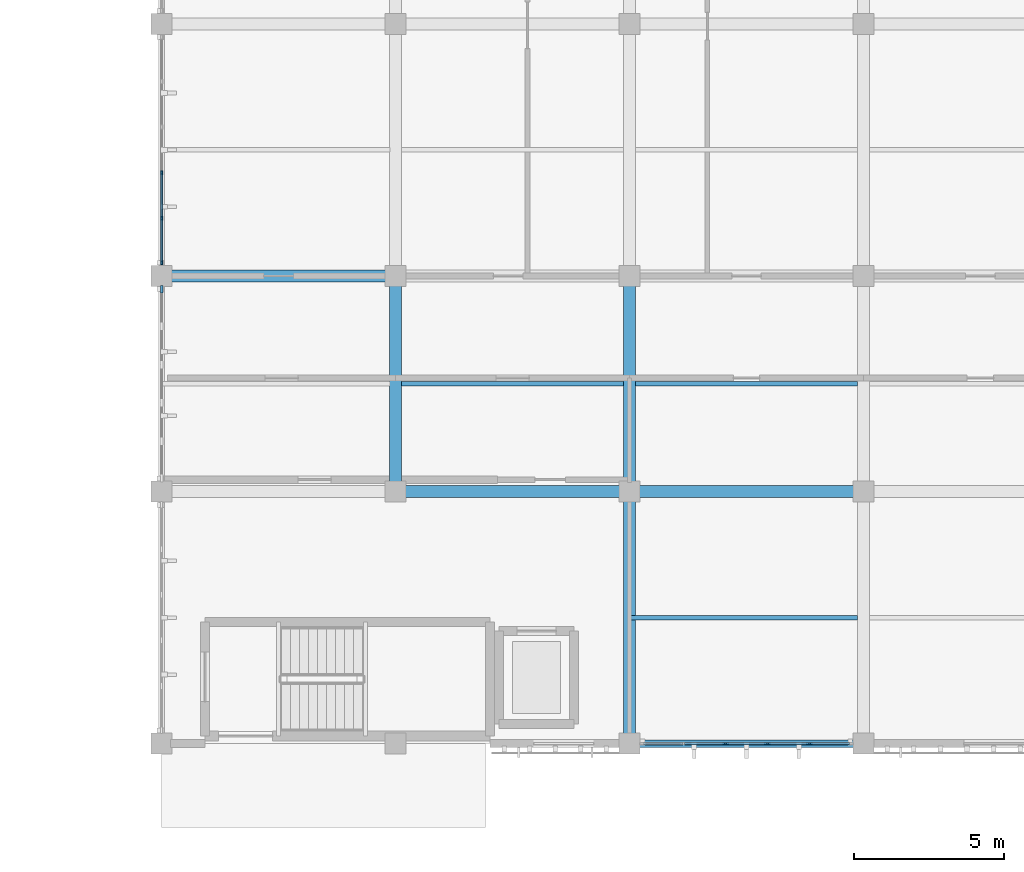
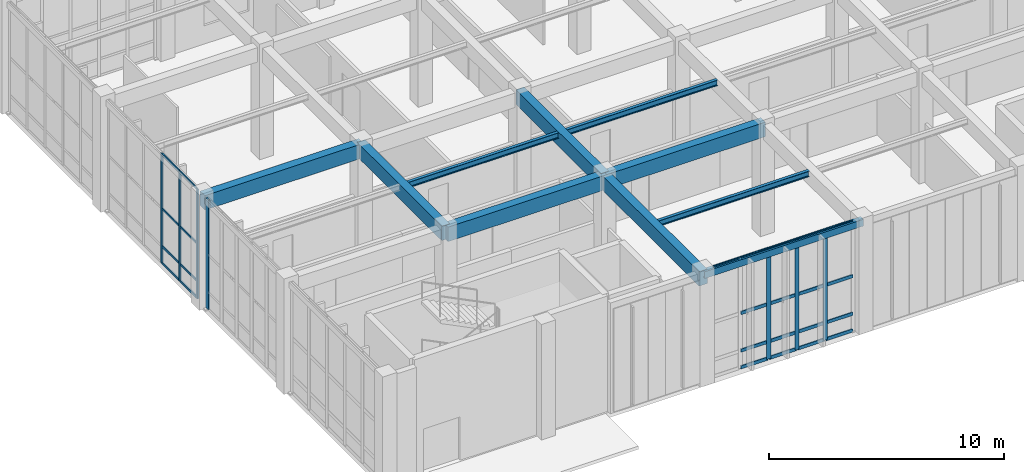
# One storey, part 15 of 110: 32 members, 10 beams, 3 elements without a shape of their own.
"""IFC4 building model written with IfcOpenShell, lengths in metres."""

from ifc_helpers import new_model, si_unit, direction, frame, origin, origin_2d, place, context, subcontext, project, spatial, rectangle, hollow_rectangle, i_section, extrude, material, material_profile, profile_set, type_object, element, aggregate, save


model = new_model("IFC4")

# Units and contexts
model_context = context("Model", 3, precision=1e-05, world=origin(), true_north=direction((0.0, 1.0)))
body_context = subcontext(model_context, "Body", "Model", "MODEL_VIEW")
ifc_project = project(units=[si_unit("LENGTHUNIT", "METRE"), si_unit("AREAUNIT", "SQUARE_METRE"), si_unit("VOLUMEUNIT", "CUBIC_METRE"), si_unit("PLANEANGLEUNIT", "RADIAN"), si_unit("MASSUNIT", "GRAM", prefix="KILO")], contexts=[model_context])

# Site, building, storey
site_placement = place(None, origin())
site = spatial("IfcSite", under=ifc_project, at=site_placement, CompositionType="ELEMENT")
building_placement = place(site_placement, origin())
building = spatial("IfcBuilding", under=site, at=building_placement, Name="Tizgana Railside Sports Hall", CompositionType="ELEMENT")
storey_placement = place(building_placement, origin())
storey = spatial("IfcBuildingStorey", under=building, at=storey_placement, Name="L00", CompositionType="ELEMENT", Elevation=0.0)

# Beams
ifc_material_1 = material(Name="Concrete C35/45", Category="concrete")
ifc_material_profile_1 = material_profile(ifc_material_1, rectangle(XDim=0.39990234375, YDim=0.75, at=origin_2d()), Name="RCB 400x750")
ifc_profile_set_1 = profile_set([ifc_material_profile_1], Name="Concrete C35/45")
beam_type_1 = type_object("IfcBeamType", Name="Concrete Beam RCB 400x750", PredefinedType="BEAM", material=ifc_profile_set_1)
beam_1_placement = place(storey_placement, frame((15.60009765625, 8.39990234375, 5.37109375), z_axis=(0.0, 1.0, 0.0), x_axis=(-1.0, 0.0, 0.0)))
element("IfcBeam", 1, at=beam_1_placement, inside=storey, type_object=beam_type_1, Name="L00 BEM-0337", PredefinedType="BEAM", context=body_context, shape_type="SweptSolid", body=[
    extrude(rectangle(XDim=0.39990234375, YDim=0.75, at=origin_2d()), origin(), (0.0, 0.0, 1.0), 7.2001953125),
])
beam_2_placement = place(storey_placement, frame((23.39990234375, 0.0, 5.37109375), z_axis=(0.0, 1.0, 0.0), x_axis=(-1.0, 0.0, 0.0)))
element("IfcBeam", 2, at=beam_2_placement, inside=storey, type_object=beam_type_1, Name="L00 BEM-0340", PredefinedType="BEAM", context=body_context, shape_type="SweptSolid", body=[
    extrude(rectangle(XDim=0.39990234375, YDim=0.75, at=origin_2d()), origin(), (0.0, 0.0, 1.0), 8.39990234375),
])
beam_3_placement = place(storey_placement, frame((23.39990234375, 8.39990234375, 5.37109375), z_axis=(0.0, 1.0, 0.0), x_axis=(-1.0, 0.0, 0.0)))
element("IfcBeam", 3, at=beam_3_placement, inside=storey, type_object=beam_type_1, Name="L00 BEM-0341", PredefinedType="BEAM", context=body_context, shape_type="SweptSolid", body=[
    extrude(rectangle(XDim=0.39990234375, YDim=0.75, at=origin_2d()), origin(), (0.0, 0.0, 1.0), 7.2001953125),
])
beam_4_placement = place(storey_placement, frame((7.800048828125, 15.60009765625, 5.37109375), z_axis=(1.0, 0.0, 0.0), x_axis=(0.0, 1.0, 0.0)))
element("IfcBeam", 4, at=beam_4_placement, inside=storey, type_object=beam_type_1, Name="L00 BEM-0379", PredefinedType="BEAM", context=body_context, shape_type="SweptSolid", body=[
    extrude(rectangle(XDim=0.39990234375, YDim=0.75, at=origin_2d()), origin(), (0.0, 0.0, 1.0), 7.800048828125),
])
beam_5_placement = place(storey_placement, frame((15.60009765625, 8.39990234375, 5.37109375), z_axis=(1.0, 0.0, 0.0), x_axis=(0.0, 1.0, 0.0)))
element("IfcBeam", 5, at=beam_5_placement, inside=storey, type_object=beam_type_1, Name="L00 BEM-0385", PredefinedType="BEAM", context=body_context, shape_type="SweptSolid", body=[
    extrude(rectangle(XDim=0.39990234375, YDim=0.75, at=origin_2d()), origin(), (0.0, 0.0, 1.0), 7.7998046875),
])
beam_6_placement = place(storey_placement, frame((23.39990234375, 8.39990234375, 5.37109375), z_axis=(1.0, 0.0, 0.0), x_axis=(0.0, 1.0, 0.0)))
element("IfcBeam", 6, at=beam_6_placement, inside=storey, type_object=beam_type_1, Name="L00 BEM-0393", PredefinedType="BEAM", context=body_context, shape_type="SweptSolid", body=[
    extrude(rectangle(XDim=0.39990234375, YDim=0.75, at=origin_2d()), origin(), (0.0, 0.0, 1.0), 7.800048828125),
])

# Curtain wall, members
ifc_material_2 = material(Name="Anodised aluminium and glass", Category="aluminium")
curtain_wall_type_1 = type_object("IfcCurtainWallType", Name="Unitised Curtain Wall Clinic 1200", PredefinedType="NOTDEFINED", material=ifc_material_2)
curtain_wall_1_placement = place(storey_placement, origin())
curtain_wall_1 = element("IfcCurtainWall", 7, at=curtain_wall_1_placement, inside=storey, type_object=curtain_wall_type_1, Name="L00 Curtain Wall CW-0084", PredefinedType="NOTDEFINED")
ifc_material_3 = material(Name="Anodised aluminium", Category="aluminium")
ifc_material_profile_2 = material_profile(ifc_material_3, rectangle(XDim=0.06005859375, YDim=0.139892578125, at=origin_2d()), Name="Mullion 60x140")
ifc_profile_set_2 = profile_set([ifc_material_profile_2], Name="Anodised aluminium")
member_type_1 = type_object("IfcMemberType", Name="Mullion 60x140", PredefinedType="MULLION", material=ifc_profile_set_2)
member_1_placement = place(storey_placement, frame((7.800048828125, 19.041015625, 0.044921875), z_axis=(0.0, 0.0, 1.0), x_axis=(1.0, 0.0, 0.0)))
member_1 = element("IfcMember", 8, at=member_1_placement, type_object=member_type_1, Name="CW-05 mullion 4", PredefinedType="MULLION", context=body_context, shape_type="SweptSolid", body=[
    extrude(rectangle(XDim=0.06005859375, YDim=0.139892578125, at=origin_2d()), origin(), (0.0, 0.0, 1.0), 5.705078125),
])
member_2_placement = place(storey_placement, frame((7.800048828125, 17.52294921875, 0.044921875), z_axis=(0.0, 0.0, 1.0), x_axis=(1.0, 0.0, 0.0)))
member_2 = element("IfcMember", 9, at=member_2_placement, type_object=member_type_1, Name="CW-05 mullion 5", PredefinedType="MULLION", context=body_context, shape_type="SweptSolid", body=[
    extrude(rectangle(XDim=0.06005859375, YDim=0.139892578125, at=origin_2d()), origin(), (0.0, 0.0, 1.0), 5.705078125),
])
member_3_placement = place(storey_placement, frame((7.800048828125, 16.034912109375, 0.044921875), z_axis=(0.0, 0.0, 1.0), x_axis=(1.0, 0.0, 0.0)))
member_3 = element("IfcMember", 10, at=member_3_placement, type_object=member_type_1, Name="CW-05 mullion 6", PredefinedType="MULLION", context=body_context, shape_type="SweptSolid", body=[
    extrude(rectangle(XDim=0.06005859375, YDim=0.139892578125, at=origin_2d()), origin(), (0.0, 0.0, 1.0), 5.705078125),
])

curtain_wall_type_2 = type_object("IfcCurtainWallType", Name="Unitised Curtain Wall Climbing 1600", PredefinedType="NOTDEFINED", material=ifc_material_2)
curtain_wall_2_placement = place(storey_placement, origin())
curtain_wall_2 = element("IfcCurtainWall", 11, at=curtain_wall_2_placement, inside=storey, type_object=curtain_wall_type_2, Name="L00 Curtain Wall CW-0075", PredefinedType="NOTDEFINED")
ifc_material_profile_3 = material_profile(ifc_material_3, rectangle(XDim=0.06494140625, YDim=0.199951171875, at=origin_2d()), Name="Mullion 65x200")
ifc_profile_set_3 = profile_set([ifc_material_profile_3], Name="Anodised aluminium")
member_type_2 = type_object("IfcMemberType", Name="Mullion 65x200", PredefinedType="MULLION", material=ifc_profile_set_3)
member_4_placement = place(storey_placement, frame((29.39697265625, 0.0, 0.044921875), z_axis=(0.0, 0.0, 1.0), x_axis=(0.0, -1.0, 0.0)))
member_4 = element("IfcMember", 12, at=member_4_placement, type_object=member_type_2, Name="CW-04 mullion 2", PredefinedType="MULLION", context=body_context, shape_type="SweptSolid", body=[
    extrude(rectangle(XDim=0.06494140625, YDim=0.199951171875, at=origin_2d()), origin(), (0.0, 0.0, 1.0), 5.705078125),
])
member_5_placement = place(storey_placement, frame((27.9990234375, 0.0, 0.044921875), z_axis=(0.0, 0.0, 1.0), x_axis=(0.0, -1.0, 0.0)))
member_5 = element("IfcMember", 13, at=member_5_placement, type_object=member_type_2, Name="CW-04 mullion 3", PredefinedType="MULLION", context=body_context, shape_type="SweptSolid", body=[
    extrude(rectangle(XDim=0.06494140625, YDim=0.199951171875, at=origin_2d()), origin(), (0.0, 0.0, 1.0), 5.705078125),
])
member_6_placement = place(storey_placement, frame((26.60107421875, 0.0, 0.044921875), z_axis=(0.0, 0.0, 1.0), x_axis=(0.0, -1.0, 0.0)))
member_6 = element("IfcMember", 14, at=member_6_placement, type_object=member_type_2, Name="CW-04 mullion 4", PredefinedType="MULLION", context=body_context, shape_type="SweptSolid", body=[
    extrude(rectangle(XDim=0.06494140625, YDim=0.199951171875, at=origin_2d()), origin(), (0.0, 0.0, 1.0), 5.705078125),
])

# Curtain wall, member
curtain_wall_3_placement = place(storey_placement, origin())
curtain_wall_3 = element("IfcCurtainWall", 15, at=curtain_wall_3_placement, inside=storey, type_object=curtain_wall_type_2, Name="L00 Curtain Wall CW-0083", PredefinedType="NOTDEFINED")
ifc_material_profile_4 = material_profile(ifc_material_3, rectangle(XDim=0.074951171875, YDim=0.25, at=origin_2d()), Name="Mullion 75x250")
ifc_profile_set_4 = profile_set([ifc_material_profile_4], Name="Anodised aluminium")
member_type_3 = type_object("IfcMemberType", Name="Mullion 75x250", PredefinedType="MULLION", material=ifc_profile_set_4)
member_7_placement = place(storey_placement, frame((7.800048828125, 15.157470703125, 0.044921875), z_axis=(0.0, 0.0, 1.0), x_axis=(1.0, 0.0, 0.0)))
member_7 = element("IfcMember", 16, at=member_7_placement, type_object=member_type_3, Name="CW-04 mullion 1", PredefinedType="MULLION", context=body_context, shape_type="SweptSolid", body=[
    extrude(rectangle(XDim=0.074951171875, YDim=0.25, at=origin_2d()), origin(), (0.0, 0.0, 1.0), 5.705078125),
])
aggregate(curtain_wall_3, [member_7])

# Beams
ifc_material_4 = material(Name="Steel S355J2", Category="steel")
ifc_material_profile_5 = material_profile(ifc_material_4, i_section(OverallWidth=0.14990234375, OverallDepth=0.300048828125, WebThickness=0.007080078125, FlangeThickness=0.0107421875, FilletRadius=0.014892578125, at=origin_2d()), Name="IPE 300")
ifc_profile_set_5 = profile_set([ifc_material_profile_5], Name="Steel S355J2")
beam_type_2 = type_object("IfcBeamType", Name="Steel Joist IPE 300", PredefinedType="JOIST", material=ifc_profile_set_5)
beam_7_placement = place(storey_placement, frame((15.794921875, 12.0, 5.595947265625), z_axis=(1.0, 0.0, 0.0), x_axis=(0.0, 1.0, 0.0)))
element("IfcBeam", 17, at=beam_7_placement, inside=storey, type_object=beam_type_2, Name="L00 BEM-0389", PredefinedType="JOIST", context=body_context, shape_type="SweptSolid", body=[
    extrude(i_section(OverallWidth=0.14990234375, OverallDepth=0.300048828125, WebThickness=0.007080078125, FlangeThickness=0.0107421875, FilletRadius=0.014892578125, at=origin_2d()), origin(), (0.0, 0.0, 1.0), 7.41015625),
])
beam_8_placement = place(storey_placement, frame((23.39990234375, 4.199951171875, 5.595947265625), z_axis=(1.0, 0.0, 0.0), x_axis=(0.0, 1.0, 0.0)))
element("IfcBeam", 18, at=beam_8_placement, inside=storey, type_object=beam_type_2, Name="L00 BEM-0397", PredefinedType="JOIST", context=body_context, shape_type="SweptSolid", body=[
    extrude(i_section(OverallWidth=0.14990234375, OverallDepth=0.300048828125, WebThickness=0.007080078125, FlangeThickness=0.0107421875, FilletRadius=0.014892578125, at=origin_2d()), origin(), (0.0, 0.0, 1.0), 7.60498046875),
])
beam_9_placement = place(storey_placement, frame((23.594970703125, 12.0, 5.595947265625), z_axis=(1.0, 0.0, 0.0), x_axis=(0.0, 1.0, 0.0)))
element("IfcBeam", 19, at=beam_9_placement, inside=storey, type_object=beam_type_2, Name="L00 BEM-0398", PredefinedType="JOIST", context=body_context, shape_type="SweptSolid", body=[
    extrude(i_section(OverallWidth=0.14990234375, OverallDepth=0.300048828125, WebThickness=0.007080078125, FlangeThickness=0.0107421875, FilletRadius=0.014892578125, at=origin_2d()), origin(), (0.0, 0.0, 1.0), 7.409912109375),
])
ifc_material_profile_6 = material_profile(ifc_material_4, hollow_rectangle(XDim=0.25, YDim=0.35009765625, WallThickness=0.011962890625, at=origin_2d()), Name="RHS 350x250x12")
ifc_profile_set_6 = profile_set([ifc_material_profile_6], Name="Steel S355J2")
beam_type_3 = type_object("IfcBeamType", Name="Steel Spandrel RHS 350x250x12", PredefinedType="SPANDREL", material=ifc_profile_set_6)
beam_10_placement = place(storey_placement, frame((23.39990234375, 0.0, 5.571044921875), z_axis=(1.0, 0.0, 0.0), x_axis=(0.0, 1.0, 0.0)))
element("IfcBeam", 20, at=beam_10_placement, inside=storey, type_object=beam_type_3, Name="L00 BEM-0392", PredefinedType="SPANDREL", context=body_context, shape_type="SweptSolid", body=[
    extrude(hollow_rectangle(XDim=0.25, YDim=0.35009765625, WallThickness=0.011962890625, at=origin_2d()), origin(), (0.0, 0.0, 1.0), 7.800048828125),
])

# Member
ifc_material_profile_7 = material_profile(ifc_material_3, rectangle(XDim=0.06005859375, YDim=0.110107421875, at=origin_2d()), Name="Transom 60x110")
ifc_profile_set_7 = profile_set([ifc_material_profile_7], Name="Anodised aluminium")
member_type_4 = type_object("IfcMemberType", Name="Transom 60x110", PredefinedType="USERDEFINED", material=ifc_profile_set_7)
member_8_placement = place(storey_placement, frame((7.800048828125, 19.010986328125, 0.074951171875), z_axis=(0.0, -1.0, 0.0), x_axis=(1.0, 0.0, 0.0)))
member_8 = element("IfcMember", 21, at=member_8_placement, type_object=member_type_4, Name="CW-05 transom 4.1", ObjectType="TRANSOM", PredefinedType="USERDEFINED", context=body_context, shape_type="SweptSolid", body=[
    extrude(rectangle(XDim=0.06005859375, YDim=0.110107421875, at=origin_2d()), origin(), (0.0, 0.0, 1.0), 1.4580078125),
])

member_9_placement = place(storey_placement, frame((7.800048828125, 19.010986328125, 0.945068359375), z_axis=(0.0, -1.0, 0.0), x_axis=(1.0, 0.0, 0.0)))
member_9 = element("IfcMember", 22, at=member_9_placement, type_object=member_type_4, Name="CW-05 transom 4.2", ObjectType="TRANSOM", PredefinedType="USERDEFINED", context=body_context, shape_type="SweptSolid", body=[
    extrude(rectangle(XDim=0.06005859375, YDim=0.110107421875, at=origin_2d()), origin(), (0.0, 0.0, 1.0), 1.4580078125),
])

member_10_placement = place(storey_placement, frame((7.800048828125, 19.010986328125, 2.8974609375), z_axis=(0.0, -1.0, 0.0), x_axis=(1.0, 0.0, 0.0)))
member_10 = element("IfcMember", 23, at=member_10_placement, type_object=member_type_4, Name="CW-05 transom 4.3", ObjectType="TRANSOM", PredefinedType="USERDEFINED", context=body_context, shape_type="SweptSolid", body=[
    extrude(rectangle(XDim=0.06005859375, YDim=0.110107421875, at=origin_2d()), origin(), (0.0, 0.0, 1.0), 1.4580078125),
])

member_11_placement = place(storey_placement, frame((7.800048828125, 19.010986328125, 5.719970703125), z_axis=(0.0, -1.0, 0.0), x_axis=(1.0, 0.0, 0.0)))
member_11 = element("IfcMember", 24, at=member_11_placement, type_object=member_type_4, Name="CW-05 transom 4.4", ObjectType="TRANSOM", PredefinedType="USERDEFINED", context=body_context, shape_type="SweptSolid", body=[
    extrude(rectangle(XDim=0.06005859375, YDim=0.110107421875, at=origin_2d()), origin(), (0.0, 0.0, 1.0), 1.4580078125),
])

member_12_placement = place(storey_placement, frame((7.800048828125, 17.492919921875, 0.074951171875), z_axis=(0.0, -1.0, 0.0), x_axis=(1.0, 0.0, 0.0)))
member_12 = element("IfcMember", 25, at=member_12_placement, type_object=member_type_4, Name="CW-05 transom 5.1", ObjectType="TRANSOM", PredefinedType="USERDEFINED", context=body_context, shape_type="SweptSolid", body=[
    extrude(rectangle(XDim=0.06005859375, YDim=0.110107421875, at=origin_2d()), origin(), (0.0, 0.0, 1.0), 1.427978515625),
])

member_13_placement = place(storey_placement, frame((7.800048828125, 17.492919921875, 0.945068359375), z_axis=(0.0, -1.0, 0.0), x_axis=(1.0, 0.0, 0.0)))
member_13 = element("IfcMember", 26, at=member_13_placement, type_object=member_type_4, Name="CW-05 transom 5.2", ObjectType="TRANSOM", PredefinedType="USERDEFINED", context=body_context, shape_type="SweptSolid", body=[
    extrude(rectangle(XDim=0.06005859375, YDim=0.110107421875, at=origin_2d()), origin(), (0.0, 0.0, 1.0), 1.427978515625),
])

member_14_placement = place(storey_placement, frame((7.800048828125, 17.492919921875, 2.8974609375), z_axis=(0.0, -1.0, 0.0), x_axis=(1.0, 0.0, 0.0)))
member_14 = element("IfcMember", 27, at=member_14_placement, type_object=member_type_4, Name="CW-05 transom 5.3", ObjectType="TRANSOM", PredefinedType="USERDEFINED", context=body_context, shape_type="SweptSolid", body=[
    extrude(rectangle(XDim=0.06005859375, YDim=0.110107421875, at=origin_2d()), origin(), (0.0, 0.0, 1.0), 1.427978515625),
])

member_15_placement = place(storey_placement, frame((7.800048828125, 17.492919921875, 5.719970703125), z_axis=(0.0, -1.0, 0.0), x_axis=(1.0, 0.0, 0.0)))
member_15 = element("IfcMember", 28, at=member_15_placement, type_object=member_type_4, Name="CW-05 transom 5.4", ObjectType="TRANSOM", PredefinedType="USERDEFINED", context=body_context, shape_type="SweptSolid", body=[
    extrude(rectangle(XDim=0.06005859375, YDim=0.110107421875, at=origin_2d()), origin(), (0.0, 0.0, 1.0), 1.427978515625),
])

aggregate(curtain_wall_1, [member_1, member_2, member_3, member_8, member_9, member_10, member_11, member_12, member_13, member_14, member_15])

ifc_material_profile_8 = material_profile(ifc_material_3, rectangle(XDim=0.06494140625, YDim=0.169921875, at=origin_2d()), Name="Transom 65x170")
ifc_profile_set_8 = profile_set([ifc_material_profile_8], Name="Anodised aluminium")
member_type_5 = type_object("IfcMemberType", Name="Transom 65x170", PredefinedType="USERDEFINED", material=ifc_profile_set_8)
member_16_placement = place(storey_placement, frame((30.72998046875, 0.0, 0.077392578125), z_axis=(-1.0, 0.0, 0.0), x_axis=(0.0, -1.0, 0.0)))
member_16 = element("IfcMember", 29, at=member_16_placement, type_object=member_type_5, Name="CW-04 transom 1.1", ObjectType="TRANSOM", PredefinedType="USERDEFINED", context=body_context, shape_type="SweptSolid", body=[
    extrude(rectangle(XDim=0.06494140625, YDim=0.169921875, at=origin_2d()), origin(), (0.0, 0.0, 1.0), 1.300537109375),
])

member_17_placement = place(storey_placement, frame((30.72998046875, 0.0, 0.945068359375), z_axis=(-1.0, 0.0, 0.0), x_axis=(0.0, -1.0, 0.0)))
member_17 = element("IfcMember", 30, at=member_17_placement, type_object=member_type_5, Name="CW-04 transom 1.2", ObjectType="TRANSOM", PredefinedType="USERDEFINED", context=body_context, shape_type="SweptSolid", body=[
    extrude(rectangle(XDim=0.06494140625, YDim=0.169921875, at=origin_2d()), origin(), (0.0, 0.0, 1.0), 1.300537109375),
])

member_18_placement = place(storey_placement, frame((30.72998046875, 0.0, 2.8974609375), z_axis=(-1.0, 0.0, 0.0), x_axis=(0.0, -1.0, 0.0)))
member_18 = element("IfcMember", 31, at=member_18_placement, type_object=member_type_5, Name="CW-04 transom 1.3", ObjectType="TRANSOM", PredefinedType="USERDEFINED", context=body_context, shape_type="SweptSolid", body=[
    extrude(rectangle(XDim=0.06494140625, YDim=0.169921875, at=origin_2d()), origin(), (0.0, 0.0, 1.0), 1.300537109375),
])

member_19_placement = place(storey_placement, frame((30.72998046875, 0.0, 5.717529296875), z_axis=(-1.0, 0.0, 0.0), x_axis=(0.0, -1.0, 0.0)))
member_19 = element("IfcMember", 32, at=member_19_placement, type_object=member_type_5, Name="CW-04 transom 1.4", ObjectType="TRANSOM", PredefinedType="USERDEFINED", context=body_context, shape_type="SweptSolid", body=[
    extrude(rectangle(XDim=0.06494140625, YDim=0.169921875, at=origin_2d()), origin(), (0.0, 0.0, 1.0), 1.300537109375),
])

member_20_placement = place(storey_placement, frame((29.364501953125, 0.0, 0.077392578125), z_axis=(-1.0, 0.0, 0.0), x_axis=(0.0, -1.0, 0.0)))
member_20 = element("IfcMember", 33, at=member_20_placement, type_object=member_type_5, Name="CW-04 transom 2.1", ObjectType="TRANSOM", PredefinedType="USERDEFINED", context=body_context, shape_type="SweptSolid", body=[
    extrude(rectangle(XDim=0.06494140625, YDim=0.169921875, at=origin_2d()), origin(), (0.0, 0.0, 1.0), 1.3330078125),
])

member_21_placement = place(storey_placement, frame((29.364501953125, 0.0, 0.945068359375), z_axis=(-1.0, 0.0, 0.0), x_axis=(0.0, -1.0, 0.0)))
member_21 = element("IfcMember", 34, at=member_21_placement, type_object=member_type_5, Name="CW-04 transom 2.2", ObjectType="TRANSOM", PredefinedType="USERDEFINED", context=body_context, shape_type="SweptSolid", body=[
    extrude(rectangle(XDim=0.06494140625, YDim=0.169921875, at=origin_2d()), origin(), (0.0, 0.0, 1.0), 1.3330078125),
])

member_22_placement = place(storey_placement, frame((29.364501953125, 0.0, 2.8974609375), z_axis=(-1.0, 0.0, 0.0), x_axis=(0.0, -1.0, 0.0)))
member_22 = element("IfcMember", 35, at=member_22_placement, type_object=member_type_5, Name="CW-04 transom 2.3", ObjectType="TRANSOM", PredefinedType="USERDEFINED", context=body_context, shape_type="SweptSolid", body=[
    extrude(rectangle(XDim=0.06494140625, YDim=0.169921875, at=origin_2d()), origin(), (0.0, 0.0, 1.0), 1.3330078125),
])

member_23_placement = place(storey_placement, frame((29.364501953125, 0.0, 5.717529296875), z_axis=(-1.0, 0.0, 0.0), x_axis=(0.0, -1.0, 0.0)))
member_23 = element("IfcMember", 36, at=member_23_placement, type_object=member_type_5, Name="CW-04 transom 2.4", ObjectType="TRANSOM", PredefinedType="USERDEFINED", context=body_context, shape_type="SweptSolid", body=[
    extrude(rectangle(XDim=0.06494140625, YDim=0.169921875, at=origin_2d()), origin(), (0.0, 0.0, 1.0), 1.3330078125),
])

member_24_placement = place(storey_placement, frame((27.966552734375, 0.0, 0.077392578125), z_axis=(-1.0, 0.0, 0.0), x_axis=(0.0, -1.0, 0.0)))
member_24 = element("IfcMember", 37, at=member_24_placement, type_object=member_type_5, Name="CW-04 transom 3.1", ObjectType="TRANSOM", PredefinedType="USERDEFINED", context=body_context, shape_type="SweptSolid", body=[
    extrude(rectangle(XDim=0.06494140625, YDim=0.169921875, at=origin_2d()), origin(), (0.0, 0.0, 1.0), 1.3330078125),
])

member_25_placement = place(storey_placement, frame((27.966552734375, 0.0, 0.945068359375), z_axis=(-1.0, 0.0, 0.0), x_axis=(0.0, -1.0, 0.0)))
member_25 = element("IfcMember", 38, at=member_25_placement, type_object=member_type_5, Name="CW-04 transom 3.2", ObjectType="TRANSOM", PredefinedType="USERDEFINED", context=body_context, shape_type="SweptSolid", body=[
    extrude(rectangle(XDim=0.06494140625, YDim=0.169921875, at=origin_2d()), origin(), (0.0, 0.0, 1.0), 1.3330078125),
])

member_26_placement = place(storey_placement, frame((27.966552734375, 0.0, 2.8974609375), z_axis=(-1.0, 0.0, 0.0), x_axis=(0.0, -1.0, 0.0)))
member_26 = element("IfcMember", 39, at=member_26_placement, type_object=member_type_5, Name="CW-04 transom 3.3", ObjectType="TRANSOM", PredefinedType="USERDEFINED", context=body_context, shape_type="SweptSolid", body=[
    extrude(rectangle(XDim=0.06494140625, YDim=0.169921875, at=origin_2d()), origin(), (0.0, 0.0, 1.0), 1.3330078125),
])

member_27_placement = place(storey_placement, frame((27.966552734375, 0.0, 5.717529296875), z_axis=(-1.0, 0.0, 0.0), x_axis=(0.0, -1.0, 0.0)))
member_27 = element("IfcMember", 40, at=member_27_placement, type_object=member_type_5, Name="CW-04 transom 3.4", ObjectType="TRANSOM", PredefinedType="USERDEFINED", context=body_context, shape_type="SweptSolid", body=[
    extrude(rectangle(XDim=0.06494140625, YDim=0.169921875, at=origin_2d()), origin(), (0.0, 0.0, 1.0), 1.3330078125),
])

member_28_placement = place(storey_placement, frame((26.568603515625, 0.0, 0.077392578125), z_axis=(-1.0, 0.0, 0.0), x_axis=(0.0, -1.0, 0.0)))
member_28 = element("IfcMember", 41, at=member_28_placement, type_object=member_type_5, Name="CW-04 transom 4.1", ObjectType="TRANSOM", PredefinedType="USERDEFINED", context=body_context, shape_type="SweptSolid", body=[
    extrude(rectangle(XDim=0.06494140625, YDim=0.169921875, at=origin_2d()), origin(), (0.0, 0.0, 1.0), 1.3330078125),
])

member_29_placement = place(storey_placement, frame((26.568603515625, 0.0, 0.945068359375), z_axis=(-1.0, 0.0, 0.0), x_axis=(0.0, -1.0, 0.0)))
member_29 = element("IfcMember", 42, at=member_29_placement, type_object=member_type_5, Name="CW-04 transom 4.2", ObjectType="TRANSOM", PredefinedType="USERDEFINED", context=body_context, shape_type="SweptSolid", body=[
    extrude(rectangle(XDim=0.06494140625, YDim=0.169921875, at=origin_2d()), origin(), (0.0, 0.0, 1.0), 1.3330078125),
])

member_30_placement = place(storey_placement, frame((26.568603515625, 0.0, 2.8974609375), z_axis=(-1.0, 0.0, 0.0), x_axis=(0.0, -1.0, 0.0)))
member_30 = element("IfcMember", 43, at=member_30_placement, type_object=member_type_5, Name="CW-04 transom 4.3", ObjectType="TRANSOM", PredefinedType="USERDEFINED", context=body_context, shape_type="SweptSolid", body=[
    extrude(rectangle(XDim=0.06494140625, YDim=0.169921875, at=origin_2d()), origin(), (0.0, 0.0, 1.0), 1.3330078125),
])

member_31_placement = place(storey_placement, frame((26.568603515625, 0.0, 5.717529296875), z_axis=(-1.0, 0.0, 0.0), x_axis=(0.0, -1.0, 0.0)))
member_31 = element("IfcMember", 44, at=member_31_placement, type_object=member_type_5, Name="CW-04 transom 4.4", ObjectType="TRANSOM", PredefinedType="USERDEFINED", context=body_context, shape_type="SweptSolid", body=[
    extrude(rectangle(XDim=0.06494140625, YDim=0.169921875, at=origin_2d()), origin(), (0.0, 0.0, 1.0), 1.3330078125),
])

member_32_placement = place(storey_placement, frame((25.17041015625, 0.0, 5.717529296875), z_axis=(-1.0, 0.0, 0.0), x_axis=(0.0, -1.0, 0.0)))
member_32 = element("IfcMember", 45, at=member_32_placement, type_object=member_type_5, Name="CW-04 transom 5.4", ObjectType="TRANSOM", PredefinedType="USERDEFINED", context=body_context, shape_type="SweptSolid", body=[
    extrude(rectangle(XDim=0.06494140625, YDim=0.169921875, at=origin_2d()), origin(), (0.0, 0.0, 1.0), 1.30029296875),
])

aggregate(curtain_wall_2, [member_4, member_5, member_6, member_16, member_17, member_18, member_19, member_20, member_21, member_22, member_23, member_24, member_25, member_26, member_27, member_28, member_29, member_30, member_31, member_32])

save(model, "model.ifc")
